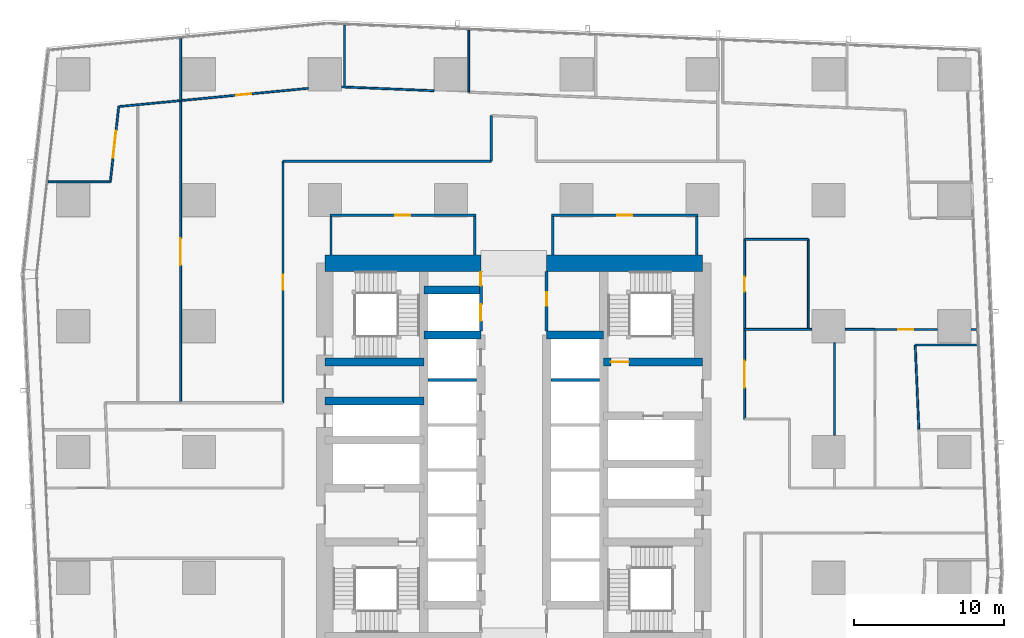
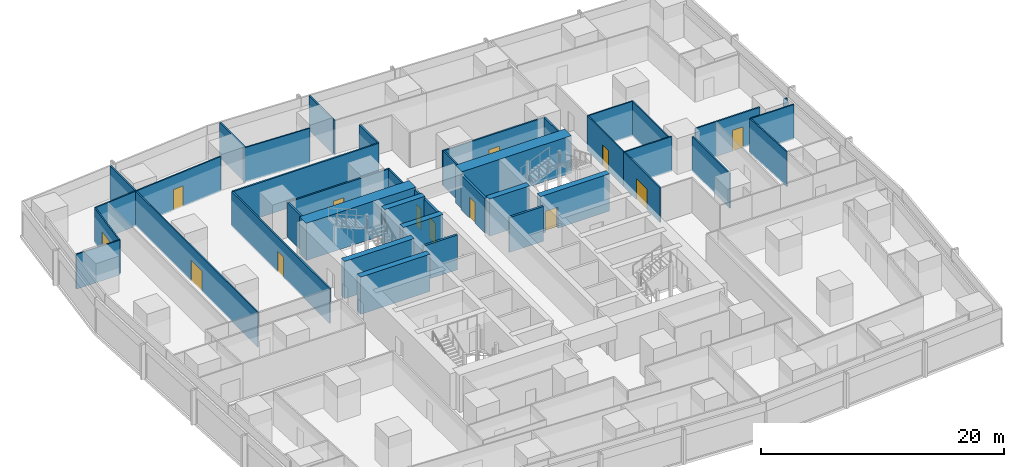
# One storey, part 34 of 45: 41 walls, 13 doors, 13 openings.
"""IFC4 building model written with IfcOpenShell, lengths in metres."""

from ifc_helpers import new_model, si_unit, direction, frame, frame_2d, origin, place, context, subcontext, project, spatial, rectangle, extrude, material, layer, layer_set, type_object, element, fill, save


model = new_model("IFC4")

# Units and contexts
model_context = context("Model", 3, precision=1e-05, world=origin(), true_north=direction((0.0, 1.0)))
body_context = subcontext(model_context, "Body", "Model", "MODEL_VIEW")
ifc_project = project(units=[si_unit("LENGTHUNIT", "METRE"), si_unit("AREAUNIT", "SQUARE_METRE"), si_unit("VOLUMEUNIT", "CUBIC_METRE"), si_unit("PLANEANGLEUNIT", "RADIAN"), si_unit("MASSUNIT", "GRAM", prefix="KILO")], contexts=[model_context])

# Site, building, storey
site_placement = place(None, origin())
site = spatial("IfcSite", under=ifc_project, at=site_placement, CompositionType="ELEMENT")
building_placement = place(site_placement, origin())
building = spatial("IfcBuilding", under=site, at=building_placement, Name="Rekha Terrace Tower", CompositionType="ELEMENT")
storey_placement = place(building_placement, frame((0.0, 0.0, 44.14990234375)))
storey = spatial("IfcBuildingStorey", under=building, at=storey_placement, Name="L10", CompositionType="ELEMENT", Elevation=44.14990234375)

# Walls
ifc_material_1 = material(Name="Concrete M70", Category="concrete")
ifc_layer_1 = layer(ifc_material_1, 0.550048828125)
ifc_layer_set_1 = layer_set([ifc_layer_1], Name="Concrete M70")
wall_type_1 = type_object("IfcWallType", Name="CI1 550 core internal shear wall", PredefinedType="SHEAR", material=ifc_layer_set_1)
for number, where, z_axis, x_axis, name in (
    (1, (31.800048828125, 41.39990234375, 0.0), (0.0, 0.0, 1.0), (1.0, 0.0, 0.0), "Core wall Y414W L10"),
    (2, (31.800048828125, 44.39990234375, 0.0), (0.0, 0.0, 1.0), (1.0, 0.0, 0.0), "Core wall Y444W L10"),
    (3, (40.0, 41.39990234375, 0.0), (0.0, 0.0, 1.0), (1.0, 0.0, 0.0), "Core wall Y414E L10"),
):
    element("IfcWall", number, at=place(storey_placement, frame(where, z_axis=z_axis, x_axis=x_axis)), inside=storey, type_object=wall_type_1, Name=name, PredefinedType="SHEAR", context=body_context, shape_type="SweptSolid", body=[
        extrude(rectangle(XDim=3.800048828125, YDim=0.550048828125, at=frame_2d((1.89990234375, 0.0))), origin(), (0.0, 0.0, 1.0), 3.75),
    ])
for number, where, z_axis, x_axis, name in (
    (4, (25.199951171875, 37.0, 0.0), (0.0, 0.0, 1.0), (1.0, 0.0, 0.0), "Core wall Y370W L10"),
    (5, (25.199951171875, 39.60009765625, 0.0), (0.0, 0.0, 1.0), (1.0, 0.0, 0.0), "Core wall Y396W L10"),
):
    element("IfcWall", number, at=place(storey_placement, frame(where, z_axis=z_axis, x_axis=x_axis)), inside=storey, type_object=wall_type_1, Name=name, PredefinedType="SHEAR", context=body_context, shape_type="SweptSolid", body=[
        extrude(rectangle(XDim=6.60009765625, YDim=0.550048828125, at=frame_2d((3.300048828125, 0.0))), origin(), (0.0, 0.0, 1.0), 3.75),
    ])

# Wall, opening, door
wall_1_placement = place(storey_placement, frame((43.800048828125, 39.60009765625, 0.0), z_axis=(0.0, 0.0, 1.0), x_axis=(1.0, 0.0, 0.0)))
wall_1 = element("IfcWall", 6, at=wall_1_placement, inside=storey, type_object=wall_type_1, Name="Core wall Y396E L10", PredefinedType="SHEAR", context=body_context, shape_type="SweptSolid", body=[
    extrude(rectangle(XDim=6.599853515625, YDim=0.550048828125, at=frame_2d((3.2998046875, 0.0))), origin(), (0.0, 0.0, 1.0), 3.75),
])
opening_1_placement = place(wall_1_placement, frame((0.47509765625, 0.0, 0.0)))
opening_1 = element("IfcOpeningElement", 7, at=opening_1_placement, cuts=wall_1, Name="Opening D1", PredefinedType="OPENING", context=body_context, shape_type="SweptSolid", body=[
    extrude(rectangle(XDim=1.199951171875, YDim=2.10009765625, at=frame_2d((0.60009765625, 1.050048828125))), frame((0.0, 0.284912109375, 0.0), z_axis=(0.0, -1.0, 0.0), x_axis=(1.0, 0.0, 0.0)), (0.0, 0.0, 1.0), 0.570068359375),
])
ifc_material_2 = material(Name="Steel fire door", Category="steel")
door_type_1 = type_object("IfcDoorType", Name="D1 1200x2100 stair fire door", OperationType="SINGLE_SWING_RIGHT", PredefinedType="DOOR", material=ifc_material_2)
door_1_placement = place(opening_1_placement, origin())
door_1 = element("IfcDoor", 8, at=door_1_placement, inside=storey, type_object=door_type_1, Name="Stair ST2 door L10", OperationType="SINGLE_SWING_RIGHT", OverallHeight=2.10009765625, OverallWidth=1.199951171875, PredefinedType="DOOR", context=body_context, shape_type="SweptSolid", body=[
    extrude(rectangle(XDim=1.199951171875, YDim=2.10009765625, at=frame_2d((0.60009765625, 1.050048828125))), frame((0.0, 0.02490234375, 0.0), z_axis=(0.0, -1.0, 0.0), x_axis=(1.0, 0.0, 0.0)), (0.0, 0.0, 1.0), 0.050048828125),
])
fill(opening_1, door_1)

# Walls
ifc_layer_2 = layer(ifc_material_1, 1.10009765625)
ifc_layer_set_2 = layer_set([ifc_layer_2], Name="Concrete M70")
wall_type_2 = type_object("IfcWallType", Name="SW1 1100 core outer shear wall", PredefinedType="SHEAR", material=ifc_layer_set_2)
wall_2_placement = place(storey_placement, frame((25.199951171875, 46.199951171875, 0.0), z_axis=(0.0, 0.0, 1.0), x_axis=(1.0, 0.0, 0.0)))
element("IfcWall", 9, at=wall_2_placement, inside=storey, type_object=wall_type_2, Name="Core wall N1 L10", PredefinedType="SHEAR", context=body_context, shape_type="SweptSolid", body=[
    extrude(rectangle(XDim=10.400146484375, YDim=1.10009765625, at=frame_2d((5.2001953125, 0.0))), origin(), (0.0, 0.0, 1.0), 3.75),
])
wall_3_placement = place(storey_placement, frame((40.0, 46.199951171875, 0.0), z_axis=(0.0, 0.0, 1.0), x_axis=(1.0, 0.0, 0.0)))
element("IfcWall", 10, at=wall_3_placement, inside=storey, type_object=wall_type_2, Name="Core wall N2 L10", PredefinedType="SHEAR", context=body_context, shape_type="SweptSolid", body=[
    extrude(rectangle(XDim=10.39990234375, YDim=1.10009765625, at=frame_2d((5.199951171875, 0.0))), origin(), (0.0, 0.0, 1.0), 3.75),
])

# Wall, opening, door
ifc_material_3 = material(Name="Concrete block masonry, 1 hour", Category="masonry")
ifc_layer_3 = layer(ifc_material_3, 0.14990234375)
ifc_layer_set_3 = layer_set([ifc_layer_3], Name="Concrete block masonry, 1 hour")
wall_type_3 = type_object("IfcWallType", Name="WP2 150 tenancy partition", PredefinedType="PARTITIONING", material=ifc_layer_set_3)
wall_4_placement = place(storey_placement, frame((40.324951171875, 49.39990234375, 0.0), z_axis=(0.0, 0.0, 1.0), x_axis=(1.0, 0.0, 0.0)))
wall_4 = element("IfcWall", 11, at=wall_4_placement, inside=storey, type_object=wall_type_3, Name="Women's WC wall L10", PredefinedType="PARTITIONING", context=body_context, shape_type="SweptSolid", body=[
    extrude(rectangle(XDim=9.75, YDim=0.14990234375, at=frame_2d((4.875, 0.0))), origin(), (0.0, 0.0, 1.0), 3.5),
])
opening_2_placement = place(wall_4_placement, frame((4.375, 0.0, 0.0)))
opening_2 = element("IfcOpeningElement", 12, at=opening_2_placement, cuts=wall_4, Name="Opening D3", PredefinedType="OPENING", context=body_context, shape_type="SweptSolid", body=[
    extrude(rectangle(XDim=1.0, YDim=2.10009765625, at=frame_2d((0.5, 1.050048828125))), frame((0.0, 0.0849609375, 0.0), z_axis=(0.0, -1.0, 0.0), x_axis=(1.0, 0.0, 0.0)), (0.0, 0.0, 1.0), 0.169921875),
])
ifc_material_4 = material(Name="Laminated timber fire door", Category="wood")
door_type_2 = type_object("IfcDoorType", Name="D3 1000x2100 WC door", OperationType="SINGLE_SWING_LEFT", PredefinedType="DOOR", material=ifc_material_4)
door_2_placement = place(opening_2_placement, origin())
door_2 = element("IfcDoor", 13, at=door_2_placement, inside=storey, type_object=door_type_2, Name="Door women's wc L10", OperationType="SINGLE_SWING_LEFT", OverallHeight=2.10009765625, OverallWidth=1.0, PredefinedType="DOOR", context=body_context, shape_type="SweptSolid", body=[
    extrude(rectangle(XDim=1.0, YDim=2.10009765625, at=frame_2d((0.5, 1.050048828125))), frame((0.0, 0.02490234375, 0.0), z_axis=(0.0, -1.0, 0.0), x_axis=(1.0, 0.0, 0.0)), (0.0, 0.0, 1.0), 0.050048828125),
])
fill(opening_2, door_2)

# Walls
for number, where, z_axis, x_axis, name in (
    (14, (40.39990234375, 46.75, 0.0), (0.0, 0.0, 1.0), (0.0, 1.0, 0.0), "Women's WC wall L10"),
    (15, (50.0, 46.75, 0.0), (0.0, 0.0, 1.0), (0.0, 1.0, 0.0), "Women's WC wall L10"),
):
    element("IfcWall", number, at=place(storey_placement, frame(where, z_axis=z_axis, x_axis=x_axis)), inside=storey, type_object=wall_type_3, Name=name, PredefinedType="PARTITIONING", context=body_context, shape_type="SweptSolid", body=[
        extrude(rectangle(XDim=2.574951171875, YDim=0.14990234375, at=frame_2d((1.28759765625, 0.0))), origin(), (0.0, 0.0, 1.0), 3.5),
    ])

# Wall, opening, door
wall_5_placement = place(storey_placement, frame((25.52490234375, 49.39990234375, 0.0), z_axis=(0.0, 0.0, 1.0), x_axis=(1.0, 0.0, 0.0)))
wall_5 = element("IfcWall", 16, at=wall_5_placement, inside=storey, type_object=wall_type_3, Name="Women's WC wall L10", PredefinedType="PARTITIONING", context=body_context, shape_type="SweptSolid", body=[
    extrude(rectangle(XDim=9.75, YDim=0.14990234375, at=frame_2d((4.875, 0.0))), origin(), (0.0, 0.0, 1.0), 3.5),
])
opening_3_placement = place(wall_5_placement, frame((4.375, 0.0, 0.0)))
opening_3 = element("IfcOpeningElement", 17, at=opening_3_placement, cuts=wall_5, Name="Opening D3", PredefinedType="OPENING", context=body_context, shape_type="SweptSolid", body=[
    extrude(rectangle(XDim=1.0, YDim=2.10009765625, at=frame_2d((0.5, 1.050048828125))), frame((0.0, 0.0849609375, 0.0), z_axis=(0.0, -1.0, 0.0), x_axis=(1.0, 0.0, 0.0)), (0.0, 0.0, 1.0), 0.169921875),
])
door_3_placement = place(opening_3_placement, origin())
door_3 = element("IfcDoor", 18, at=door_3_placement, inside=storey, type_object=door_type_2, Name="Door women's wc L10", OperationType="SINGLE_SWING_LEFT", OverallHeight=2.10009765625, OverallWidth=1.0, PredefinedType="DOOR", context=body_context, shape_type="SweptSolid", body=[
    extrude(rectangle(XDim=1.0, YDim=2.10009765625, at=frame_2d((0.5, 1.050048828125))), frame((0.0, 0.02490234375, 0.0), z_axis=(0.0, -1.0, 0.0), x_axis=(1.0, 0.0, 0.0)), (0.0, 0.0, 1.0), 0.050048828125),
])
fill(opening_3, door_3)

# Walls
for number, where, z_axis, x_axis, name in (
    (19, (25.60009765625, 46.75, 0.0), (0.0, 0.0, 1.0), (0.0, 1.0, 0.0), "Women's WC wall L10"),
    (20, (35.199951171875, 46.75, 0.0), (0.0, 0.0, 1.0), (0.0, 1.0, 0.0), "Women's WC wall L10"),
):
    element("IfcWall", number, at=place(storey_placement, frame(where, z_axis=z_axis, x_axis=x_axis)), inside=storey, type_object=wall_type_3, Name=name, PredefinedType="PARTITIONING", context=body_context, shape_type="SweptSolid", body=[
        extrude(rectangle(XDim=2.574951171875, YDim=0.14990234375, at=frame_2d((1.28759765625, 0.0))), origin(), (0.0, 0.0, 1.0), 3.5),
    ])

# Wall, opening, door
wall_6_placement = place(storey_placement, frame((61.89990234375, 41.781005859375, 0.0), z_axis=(0.0, 0.0, 1.0), x_axis=(1.0, 0.0, 0.0)))
wall_6 = element("IfcWall", 21, at=wall_6_placement, inside=storey, type_object=wall_type_3, Name="Partition L10-O2", PredefinedType="PARTITIONING", context=body_context, shape_type="SweptSolid", body=[
    extrude(rectangle(XDim=4.18017578125, YDim=0.14990234375, at=frame_2d((2.090087890625, 0.0))), origin(), (0.0, 0.0, 1.0), 3.5),
])
opening_4_placement = place(wall_6_placement, frame((1.554931640625, 0.0, 0.0)))
opening_4 = element("IfcOpeningElement", 22, at=opening_4_placement, cuts=wall_6, Name="Opening D9", PredefinedType="OPENING", context=body_context, shape_type="SweptSolid", body=[
    extrude(rectangle(XDim=1.0, YDim=2.10009765625, at=frame_2d((0.5, 1.050048828125))), frame((0.0, 0.0849609375, 0.0), z_axis=(0.0, -1.0, 0.0), x_axis=(1.0, 0.0, 0.0)), (0.0, 0.0, 1.0), 0.169921875),
])
ifc_material_5 = material(Name="Timber fire door", Category="wood")
door_type_3 = type_object("IfcDoorType", Name="D9 1000x2100 office door", OperationType="SINGLE_SWING_LEFT", PredefinedType="DOOR", material=ifc_material_5)
door_4_placement = place(opening_4_placement, origin())
door_4 = element("IfcDoor", 23, at=door_4_placement, inside=storey, type_object=door_type_3, Name="Door open-plan office L10", OperationType="SINGLE_SWING_LEFT", OverallHeight=2.10009765625, OverallWidth=1.0, PredefinedType="DOOR", context=body_context, shape_type="SweptSolid", body=[
    extrude(rectangle(XDim=1.0, YDim=2.10009765625, at=frame_2d((0.5, 1.050048828125))), frame((0.0, 0.02490234375, 0.0), z_axis=(0.0, -1.0, 0.0), x_axis=(1.0, 0.0, 0.0)), (0.0, 0.0, 1.0), 0.050048828125),
])
fill(opening_4, door_4)

# Walls
wall_7_placement = place(storey_placement, frame((68.320068359375, 41.781005859375, 0.0), z_axis=(0.0, 0.0, 1.0), x_axis=(1.0, 0.0, 0.0)))
element("IfcWall", 24, at=wall_7_placement, inside=storey, type_object=wall_type_3, Name="Partition L10-O2", PredefinedType="PARTITIONING", context=body_context, shape_type="SweptSolid", body=[
    extrude(rectangle(XDim=0.343017578125, YDim=0.14990234375, at=frame_2d((0.17138671875, 0.0))), origin(), (0.0, 0.0, 1.0), 3.5),
])
wall_8_placement = place(storey_placement, frame((26.510009765625, 62.071044921875, 0.0), z_axis=(0.0, 0.0, 1.0), x_axis=(0.0, -1.0, 0.0)))
element("IfcWall", 25, at=wall_8_placement, inside=storey, type_object=wall_type_3, Name="Partition L10-O4", PredefinedType="PARTITIONING", context=body_context, shape_type="SweptSolid", body=[
    extrude(rectangle(XDim=4.06005859375, YDim=0.14990234375, at=frame_2d((2.030029296875, 0.0))), origin(), (0.0, 0.0, 1.0), 3.5),
])
wall_9_placement = place(storey_placement, frame((36.300048828125, 56.04296875, 0.0), z_axis=(0.0, 0.0, 1.0), x_axis=(0.0, -1.0, 0.0)))
element("IfcWall", 26, at=wall_9_placement, inside=storey, type_object=wall_type_3, Name="Partition L10-O4", PredefinedType="PARTITIONING", context=body_context, shape_type="SweptSolid", body=[
    extrude(rectangle(XDim=3.04296875, YDim=0.14990234375, at=frame_2d((1.521484375, 0.0))), origin(), (0.0, 0.0, 1.0), 3.5),
])
wall_10_placement = place(storey_placement, frame((36.300048828125, 53.0, 0.0), z_axis=(0.0, 0.0, 1.0), x_axis=(-1.0, 0.0, 0.0)))
element("IfcWall", 27, at=wall_10_placement, inside=storey, type_object=wall_type_3, Name="Partition L10-O4", PredefinedType="PARTITIONING", context=body_context, shape_type="SweptSolid", body=[
    extrude(rectangle(XDim=13.900146484375, YDim=0.14990234375, at=frame_2d((6.9501953125, 0.0))), origin(), (0.0, 0.0, 1.0), 3.5),
])

# Wall, opening, door
wall_11_placement = place(storey_placement, frame((22.39990234375, 53.0, 0.0), z_axis=(0.0, 0.0, 1.0), x_axis=(0.0, -1.0, 0.0)))
wall_11 = element("IfcWall", 28, at=wall_11_placement, inside=storey, type_object=wall_type_3, Name="Partition L10-O4", PredefinedType="PARTITIONING", context=body_context, shape_type="SweptSolid", body=[
    extrude(rectangle(XDim=16.1220703125, YDim=0.14990234375, at=frame_2d((8.06103515625, 0.0))), origin(), (0.0, 0.0, 1.0), 3.5),
])
opening_5_placement = place(wall_11_placement, frame((7.56103515625, 0.0, 0.0)))
opening_5 = element("IfcOpeningElement", 29, at=opening_5_placement, cuts=wall_11, Name="Opening D9", PredefinedType="OPENING", context=body_context, shape_type="SweptSolid", body=[
    extrude(rectangle(XDim=1.0, YDim=2.10009765625, at=frame_2d((0.5, 1.050048828125))), frame((0.0, 0.0849609375, 0.0), z_axis=(0.0, -1.0, 0.0), x_axis=(1.0, 0.0, 0.0)), (0.0, 0.0, 1.0), 0.169921875),
])
door_5_placement = place(opening_5_placement, origin())
door_5 = element("IfcDoor", 30, at=door_5_placement, inside=storey, type_object=door_type_3, Name="Door open-plan office L10", OperationType="SINGLE_SWING_LEFT", OverallHeight=2.10009765625, OverallWidth=1.0, PredefinedType="DOOR", context=body_context, shape_type="SweptSolid", body=[
    extrude(rectangle(XDim=1.0, YDim=2.10009765625, at=frame_2d((0.5, 1.050048828125))), frame((0.0, 0.02490234375, 0.0), z_axis=(0.0, -1.0, 0.0), x_axis=(1.0, 0.0, 0.0)), (0.0, 0.0, 1.0), 0.050048828125),
])
fill(opening_5, door_5)

# Walls
ifc_material_6 = material(Name="Two layers of fire-rated gypsum board each side on steel studs, acoustic quilt, 1 hour", Category="steel")
ifc_layer_4 = layer(ifc_material_6, 0.125)
ifc_layer_set_4 = layer_set([ifc_layer_4], Name="Two layers of fire-rated gypsum board each side on steel studs, acoustic quilt, 1 hour")
wall_type_4 = type_object("IfcWallType", Name="WP3 125 office partition", PredefinedType="PARTITIONING", material=ifc_layer_set_4)
wall_12_placement = place(storey_placement, frame((64.825927734375, 35.0791015625, 0.0), z_axis=(0.0, 0.0, 1.0), x_axis=(-0.042737280095, 0.999086345062, 0.0)))
element("IfcWall", 31, at=wall_12_placement, inside=storey, type_object=wall_type_4, Name="Partition L10-06", PredefinedType="PARTITIONING", context=body_context, shape_type="SweptSolid", body=[
    extrude(rectangle(XDim=5.6611328125, YDim=0.125, at=frame_2d((2.83056640625, 0.0))), origin(), (0.0, 0.0, 1.0), 3.5),
])
wall_13_placement = place(storey_placement, frame((64.583984375, 40.735107421875, 0.0), z_axis=(0.0, 0.0, 1.0), x_axis=(1.0, 0.0, 0.0)))
element("IfcWall", 32, at=wall_13_placement, inside=storey, type_object=wall_type_4, Name="Partition L10-06", PredefinedType="PARTITIONING", context=body_context, shape_type="SweptSolid", body=[
    extrude(rectangle(XDim=4.1240234375, YDim=0.125, at=frame_2d((2.06201171875, 0.0))), origin(), (0.0, 0.0, 1.0), 3.5),
])
wall_14_placement = place(storey_placement, frame((53.199951171875, 41.781005859375, 0.0), z_axis=(0.0, 0.0, 1.0), x_axis=(1.0, 0.0, 0.0)))
element("IfcWall", 33, at=wall_14_placement, inside=storey, type_object=wall_type_4, Name="Partition L10-07", PredefinedType="PARTITIONING", context=body_context, shape_type="SweptSolid", body=[
    extrude(rectangle(XDim=4.47998046875, YDim=0.125, at=frame_2d((2.239990234375, 0.0))), origin(), (0.0, 0.0, 1.0), 3.5),
])
wall_15_placement = place(storey_placement, frame((59.199951171875, 40.8798828125, 0.0), z_axis=(0.0, 0.0, 1.0), x_axis=(0.0, -1.0, 0.0)))
element("IfcWall", 34, at=wall_15_placement, inside=storey, type_object=wall_type_4, Name="Partition L10-07", PredefinedType="PARTITIONING", context=body_context, shape_type="SweptSolid", body=[
    extrude(rectangle(XDim=6.159912109375, YDim=0.125, at=frame_2d((3.080078125, 0.0))), origin(), (0.0, 0.0, 1.0), 3.5),
])

# Wall, opening, door
wall_16_placement = place(storey_placement, frame((53.199951171875, 35.800048828125, 0.0), z_axis=(0.0, 0.0, 1.0), x_axis=(0.0, 1.0, 0.0)))
wall_16 = element("IfcWall", 35, at=wall_16_placement, inside=storey, type_object=wall_type_4, Name="Partition L10-07", PredefinedType="PARTITIONING", context=body_context, shape_type="SweptSolid", body=[
    extrude(rectangle(XDim=5.98095703125, YDim=0.125, at=frame_2d((2.990478515625, 0.0))), origin(), (0.0, 0.0, 1.0), 3.5),
])
opening_6_placement = place(wall_16_placement, frame((2.090087890625, 0.0, 0.0)))
opening_6 = element("IfcOpeningElement", 36, at=opening_6_placement, cuts=wall_16, Name="Opening D8", PredefinedType="OPENING", context=body_context, shape_type="SweptSolid", body=[
    extrude(rectangle(XDim=1.800048828125, YDim=2.10009765625, at=frame_2d((0.89990234375, 1.050048828125))), frame((0.0, 0.072509765625, 0.0), z_axis=(0.0, -1.0, 0.0), x_axis=(1.0, 0.0, 0.0)), (0.0, 0.0, 1.0), 0.14501953125),
])
door_type_4 = type_object("IfcDoorType", Name="D8 1800x2100 double leaf door", OperationType="DOUBLE_DOOR_SINGLE_SWING", PredefinedType="DOOR", material=ifc_material_5)
door_6_placement = place(opening_6_placement, origin())
door_6 = element("IfcDoor", 37, at=door_6_placement, inside=storey, type_object=door_type_4, Name="Door reception L10", OperationType="DOUBLE_DOOR_SINGLE_SWING", OverallHeight=2.10009765625, OverallWidth=1.800048828125, PredefinedType="DOOR", context=body_context, shape_type="SweptSolid", body=[
    extrude(rectangle(XDim=1.800048828125, YDim=2.10009765625, at=frame_2d((0.89990234375, 1.050048828125))), frame((0.0, 0.02490234375, 0.0), z_axis=(0.0, -1.0, 0.0), x_axis=(1.0, 0.0, 0.0)), (0.0, 0.0, 1.0), 0.050048828125),
])
fill(opening_6, door_6)

# Walls
wall_17_placement = place(storey_placement, frame((59.919921875, 41.781005859375, 0.0), z_axis=(0.0, 0.0, 1.0), x_axis=(1.0, 0.0, 0.0)))
element("IfcWall", 38, at=wall_17_placement, inside=storey, type_object=wall_type_4, Name="Partition L10-08", PredefinedType="PARTITIONING", context=body_context, shape_type="SweptSolid", body=[
    extrude(rectangle(XDim=1.97998046875, YDim=0.125, at=frame_2d((0.989990234375, 0.0))), origin(), (0.0, 0.0, 1.0), 3.5),
])
wall_18_placement = place(storey_placement, frame((57.449951171875, 47.781982421875, 0.0), z_axis=(0.0, 0.0, 1.0), x_axis=(0.0, -1.0, 0.0)))
element("IfcWall", 39, at=wall_18_placement, inside=storey, type_object=wall_type_4, Name="Partition L10-11", PredefinedType="PARTITIONING", context=body_context, shape_type="SweptSolid", body=[
    extrude(rectangle(XDim=5.93896484375, YDim=0.125, at=frame_2d((2.969482421875, 0.0))), origin(), (0.0, 0.0, 1.0), 3.5),
])

# Wall, opening, door
wall_19_placement = place(storey_placement, frame((53.199951171875, 41.781982421875, 0.0), z_axis=(0.0, 0.0, 1.0), x_axis=(0.0, 1.0, 0.0)))
wall_19 = element("IfcWall", 40, at=wall_19_placement, inside=storey, type_object=wall_type_4, Name="Partition L10-11", PredefinedType="PARTITIONING", context=body_context, shape_type="SweptSolid", body=[
    extrude(rectangle(XDim=6.0, YDim=0.125, at=frame_2d((3.0, 0.0))), origin(), (0.0, 0.0, 1.0), 3.5),
])
opening_7_placement = place(wall_19_placement, frame((2.5, 0.0, 0.0)))
opening_7 = element("IfcOpeningElement", 41, at=opening_7_placement, cuts=wall_19, Name="Opening D9", PredefinedType="OPENING", context=body_context, shape_type="SweptSolid", body=[
    extrude(rectangle(XDim=1.0, YDim=2.10009765625, at=frame_2d((0.5, 1.050048828125))), frame((0.0, 0.072509765625, 0.0), z_axis=(0.0, -1.0, 0.0), x_axis=(1.0, 0.0, 0.0)), (0.0, 0.0, 1.0), 0.14501953125),
])
door_7_placement = place(opening_7_placement, origin())
door_7 = element("IfcDoor", 42, at=door_7_placement, inside=storey, type_object=door_type_3, Name="Door reception L10", OperationType="SINGLE_SWING_LEFT", OverallHeight=2.10009765625, OverallWidth=1.0, PredefinedType="DOOR", context=body_context, shape_type="SweptSolid", body=[
    extrude(rectangle(XDim=1.0, YDim=2.10009765625, at=frame_2d((0.5, 1.050048828125))), frame((0.0, 0.02490234375, 0.0), z_axis=(0.0, -1.0, 0.0), x_axis=(1.0, 0.0, 0.0)), (0.0, 0.0, 1.0), 0.050048828125),
])
fill(opening_7, door_7)

# Walls
wall_20_placement = place(storey_placement, frame((53.199951171875, 47.781982421875, 0.0), z_axis=(0.0, 0.0, 1.0), x_axis=(1.0, 0.0, 0.0)))
element("IfcWall", 43, at=wall_20_placement, inside=storey, type_object=wall_type_4, Name="Partition L10-11", PredefinedType="PARTITIONING", context=body_context, shape_type="SweptSolid", body=[
    extrude(rectangle(XDim=4.25, YDim=0.125, at=frame_2d((2.125, 0.0))), origin(), (0.0, 0.0, 1.0), 3.5),
])
wall_21_placement = place(storey_placement, frame((34.801025390625, 57.60595703125, 0.0), z_axis=(0.0, 0.0, 1.0), x_axis=(0.0, 1.0, 0.0)))
element("IfcWall", 44, at=wall_21_placement, inside=storey, type_object=wall_type_4, Name="Partition L10-12", PredefinedType="PARTITIONING", context=body_context, shape_type="SweptSolid", body=[
    extrude(rectangle(XDim=4.153076171875, YDim=0.125, at=frame_2d((2.07666015625, 0.0))), origin(), (0.0, 0.0, 1.0), 3.5),
])
wall_22_placement = place(storey_placement, frame((15.572998046875, 57.04296875, 0.0), z_axis=(0.0, 0.0, 1.0), x_axis=(0.0, 1.0, 0.0)))
element("IfcWall", 45, at=wall_22_placement, inside=storey, type_object=wall_type_4, Name="Partition L10-13", PredefinedType="PARTITIONING", context=body_context, shape_type="SweptSolid", body=[
    extrude(rectangle(XDim=4.138916015625, YDim=0.125, at=frame_2d((2.0693359375, 0.0))), origin(), (0.0, 0.0, 1.0), 3.5),
])
wall_23_placement = place(storey_placement, frame((32.47998046875, 57.701904296875, 0.0), z_axis=(0.0, 0.0, 1.0), x_axis=(-0.999149942119, 0.041223696633, 0.0)))
element("IfcWall", 46, at=wall_23_placement, inside=storey, type_object=wall_type_4, Name="Partition L10-13", PredefinedType="PARTITIONING", context=body_context, shape_type="SweptSolid", body=[
    extrude(rectangle(XDim=6.1650390625, YDim=0.125, at=frame_2d((3.08251953125, 0.0))), origin(), (0.0, 0.0, 1.0), 3.5),
])

# Wall, opening, door
wall_24_placement = place(storey_placement, frame((24.080078125, 57.861083984375, 0.0), z_axis=(0.0, 0.0, 1.0), x_axis=(-0.995407615834, -0.095727103477, 0.0)))
wall_24 = element("IfcWall", 47, at=wall_24_placement, inside=storey, type_object=wall_type_4, Name="Partition L10-13", PredefinedType="PARTITIONING", context=body_context, shape_type="SweptSolid", body=[
    extrude(rectangle(XDim=8.54638671875, YDim=0.125, at=frame_2d((4.273193359375, 0.0))), origin(), (0.0, 0.0, 1.0), 3.5),
])
opening_8_placement = place(wall_24_placement, frame((3.80810546875, 0.0, 0.0)))
opening_8 = element("IfcOpeningElement", 48, at=opening_8_placement, cuts=wall_24, Name="Opening D9", PredefinedType="OPENING", context=body_context, shape_type="SweptSolid", body=[
    extrude(rectangle(XDim=1.0, YDim=2.10009765625, at=frame_2d((0.5, 1.050048828125))), frame((0.0, 0.072509765625, 0.0), z_axis=(0.0, -1.0, 0.0), x_axis=(1.0, 0.0, 0.0)), (0.0, 0.0, 1.0), 0.14501953125),
])
door_8_placement = place(opening_8_placement, origin())
door_8 = element("IfcDoor", 49, at=door_8_placement, inside=storey, type_object=door_type_3, Name="Door office L10", OperationType="SINGLE_SWING_LEFT", OverallHeight=2.10009765625, OverallWidth=1.0, PredefinedType="DOOR", context=body_context, shape_type="SweptSolid", body=[
    extrude(rectangle(XDim=1.0, YDim=2.10009765625, at=frame_2d((0.5, 1.050048828125))), frame((0.0, 0.02490234375, 0.0), z_axis=(0.0, -1.0, 0.0), x_axis=(1.0, 0.0, 0.0)), (0.0, 0.0, 1.0), 0.050048828125),
])
fill(opening_8, door_8)

# Walls
wall_25_placement = place(storey_placement, frame((10.883056640625, 51.618896484375, 0.0), z_axis=(0.0, 0.0, 1.0), x_axis=(-1.0, 0.0, 0.0)))
element("IfcWall", 50, at=wall_25_placement, inside=storey, type_object=wall_type_4, Name="Partition L10-14", PredefinedType="PARTITIONING", context=body_context, shape_type="SweptSolid", body=[
    extrude(rectangle(XDim=4.14599609375, YDim=0.125, at=frame_2d((2.072998046875, 0.0))), origin(), (0.0, 0.0, 1.0), 3.5),
])
wall_26_placement = place(storey_placement, frame((15.572021484375, 57.04296875, 0.0), z_axis=(0.0, 0.0, 1.0), x_axis=(-0.995399090968, -0.095815706957, 0.0)))
element("IfcWall", 51, at=wall_26_placement, inside=storey, type_object=wall_type_4, Name="Partition L10-14", PredefinedType="PARTITIONING", context=body_context, shape_type="SweptSolid", body=[
    extrude(rectangle(XDim=4.14306640625, YDim=0.125, at=frame_2d((2.071533203125, 0.0))), origin(), (0.0, 0.0, 1.0), 3.5),
])

# Wall, opening, door
wall_27_placement = place(storey_placement, frame((11.447998046875, 56.64599609375, 0.0), z_axis=(0.0, 0.0, 1.0), x_axis=(-0.111676223133, -0.993744645866, 0.0)))
wall_27 = element("IfcWall", 52, at=wall_27_placement, inside=storey, type_object=wall_type_4, Name="Partition L10-14", PredefinedType="PARTITIONING", context=body_context, shape_type="SweptSolid", body=[
    extrude(rectangle(XDim=5.058837890625, YDim=0.125, at=frame_2d((2.529296875, 0.0))), origin(), (0.0, 0.0, 1.0), 3.5),
])
opening_9_placement = place(wall_27_placement, frame((1.62890625, 0.0, 0.0)))
opening_9 = element("IfcOpeningElement", 53, at=opening_9_placement, cuts=wall_27, Name="Opening D8", PredefinedType="OPENING", context=body_context, shape_type="SweptSolid", body=[
    extrude(rectangle(XDim=1.800048828125, YDim=2.10009765625, at=frame_2d((0.89990234375, 1.050048828125))), frame((0.0, 0.072509765625, 0.0), z_axis=(0.0, -1.0, 0.0), x_axis=(1.0, 0.0, 0.0)), (0.0, 0.0, 1.0), 0.14501953125),
])
door_9_placement = place(opening_9_placement, origin())
door_9 = element("IfcDoor", 54, at=door_9_placement, inside=storey, type_object=door_type_4, Name="Door meeting room L10", OperationType="DOUBLE_DOOR_SINGLE_SWING", OverallHeight=2.10009765625, OverallWidth=1.800048828125, PredefinedType="DOOR", context=body_context, shape_type="SweptSolid", body=[
    extrude(rectangle(XDim=1.800048828125, YDim=2.10009765625, at=frame_2d((0.89990234375, 1.050048828125))), frame((0.0, 0.02490234375, 0.0), z_axis=(0.0, -1.0, 0.0), x_axis=(1.0, 0.0, 0.0)), (0.0, 0.0, 1.0), 0.050048828125),
])
fill(opening_9, door_9)

wall_28_placement = place(storey_placement, frame((15.572021484375, 57.04296875, 0.0), z_axis=(0.0, 0.0, 1.0), x_axis=(0.0, -1.0, 0.0)))
wall_28 = element("IfcWall", 55, at=wall_28_placement, inside=storey, type_object=wall_type_4, Name="Partition L10-16", PredefinedType="PARTITIONING", context=body_context, shape_type="SweptSolid", body=[
    extrude(rectangle(XDim=20.1650390625, YDim=0.125, at=frame_2d((10.08251953125, 0.0))), origin(), (0.0, 0.0, 1.0), 3.5),
])
opening_10_placement = place(wall_28_placement, frame((9.18310546875, 0.0, 0.0)))
opening_10 = element("IfcOpeningElement", 56, at=opening_10_placement, cuts=wall_28, Name="Opening D8", PredefinedType="OPENING", context=body_context, shape_type="SweptSolid", body=[
    extrude(rectangle(XDim=1.800048828125, YDim=2.10009765625, at=frame_2d((0.89990234375, 1.050048828125))), frame((0.0, 0.072509765625, 0.0), z_axis=(0.0, -1.0, 0.0), x_axis=(1.0, 0.0, 0.0)), (0.0, 0.0, 1.0), 0.14501953125),
])
door_10_placement = place(opening_10_placement, origin())
door_10 = element("IfcDoor", 57, at=door_10_placement, inside=storey, type_object=door_type_4, Name="Door storage room L10", OperationType="DOUBLE_DOOR_SINGLE_SWING", OverallHeight=2.10009765625, OverallWidth=1.800048828125, PredefinedType="DOOR", context=body_context, shape_type="SweptSolid", body=[
    extrude(rectangle(XDim=1.800048828125, YDim=2.10009765625, at=frame_2d((0.89990234375, 1.050048828125))), frame((0.0, 0.02490234375, 0.0), z_axis=(0.0, -1.0, 0.0), x_axis=(1.0, 0.0, 0.0)), (0.0, 0.0, 1.0), 0.050048828125),
])
fill(opening_10, door_10)

# Walls
ifc_material_7 = material(Name="Solid concrete block masonry, 2 hour", Category="masonry")
ifc_layer_5 = layer(ifc_material_7, 0.199951171875)
ifc_layer_set_5 = layer_set([ifc_layer_5], Name="Solid concrete block masonry, 2 hour")
wall_type_5 = type_object("IfcWallType", Name="WS1 200 stair and shaft enclosure", PredefinedType="PARTITIONING", material=ifc_layer_set_5)
for number, where, z_axis, x_axis, name in (
    (58, (32.074951171875, 38.39990234375, 0.0), (0.0, 0.0, 1.0), (1.0, 0.0, 0.0), "Lift shaft divider L10"),
    (59, (40.27490234375, 38.39990234375, 0.0), (0.0, 0.0, 1.0), (1.0, 0.0, 0.0), "Lift shaft divider L10"),
):
    element("IfcWall", number, at=place(storey_placement, frame(where, z_axis=z_axis, x_axis=x_axis)), inside=storey, type_object=wall_type_5, Name=name, PredefinedType="PARTITIONING", context=body_context, shape_type="SweptSolid", body=[
        extrude(rectangle(XDim=3.25, YDim=0.199951171875, at=frame_2d((1.625, 0.0))), origin(), (0.0, 0.0, 1.0), 3.5),
    ])

# Wall, opening, door
wall_29_placement = place(storey_placement, frame((40.0, 41.675048828125, 0.0), z_axis=(0.0, 0.0, 1.0), x_axis=(0.0, 1.0, 0.0)))
wall_29 = element("IfcWall", 60, at=wall_29_placement, inside=storey, type_object=wall_type_5, Name="Core partition elec L10", PredefinedType="PARTITIONING", context=body_context, shape_type="SweptSolid", body=[
    extrude(rectangle(XDim=3.974853515625, YDim=0.199951171875, at=frame_2d((1.9873046875, 0.0))), origin(), (0.0, 0.0, 1.0), 3.5),
])
opening_11_placement = place(wall_29_placement, frame((1.675048828125, 0.0, 0.0)))
opening_11 = element("IfcOpeningElement", 61, at=opening_11_placement, cuts=wall_29, Name="Opening D5", PredefinedType="OPENING", context=body_context, shape_type="SweptSolid", body=[
    extrude(rectangle(XDim=0.89990234375, YDim=2.10009765625, at=frame_2d((0.449951171875, 1.050048828125))), frame((0.0, 0.10986328125, 0.0), z_axis=(0.0, -1.0, 0.0), x_axis=(1.0, 0.0, 0.0)), (0.0, 0.0, 1.0), 0.219970703125),
])
door_type_5 = type_object("IfcDoorType", Name="D5 900x2100 riser access door", OperationType="SINGLE_SWING_LEFT", PredefinedType="DOOR", material=ifc_material_2)
door_11_placement = place(opening_11_placement, origin())
door_11 = element("IfcDoor", 62, at=door_11_placement, inside=storey, type_object=door_type_5, Name="Door electrical room L10", OperationType="SINGLE_SWING_LEFT", OverallHeight=2.10009765625, OverallWidth=0.89990234375, PredefinedType="DOOR", context=body_context, shape_type="SweptSolid", body=[
    extrude(rectangle(XDim=0.89990234375, YDim=2.10009765625, at=frame_2d((0.449951171875, 1.050048828125))), frame((0.0, 0.02490234375, 0.0), z_axis=(0.0, -1.0, 0.0), x_axis=(1.0, 0.0, 0.0)), (0.0, 0.0, 1.0), 0.050048828125),
])
fill(opening_11, door_11)

# Wall, openings, doors
wall_30_placement = place(storey_placement, frame((35.60009765625, 41.675048828125, 0.0), z_axis=(0.0, 0.0, 1.0), x_axis=(0.0, 1.0, 0.0)))
wall_30 = element("IfcWall", 63, at=wall_30_placement, inside=storey, type_object=wall_type_5, Name="Core partition jansv L10", PredefinedType="PARTITIONING", context=body_context, shape_type="SweptSolid", body=[
    extrude(rectangle(XDim=3.974853515625, YDim=0.199951171875, at=frame_2d((1.9873046875, 0.0))), origin(), (0.0, 0.0, 1.0), 3.5),
])
opening_12_placement = place(wall_30_placement, frame((3.02490234375, 0.0, 0.0)))
opening_12 = element("IfcOpeningElement", 64, at=opening_12_placement, cuts=wall_30, Name="Opening D5", PredefinedType="OPENING", context=body_context, shape_type="SweptSolid", body=[
    extrude(rectangle(XDim=0.89990234375, YDim=2.10009765625, at=frame_2d((0.449951171875, 1.050048828125))), frame((0.0, 0.10986328125, 0.0), z_axis=(0.0, -1.0, 0.0), x_axis=(1.0, 0.0, 0.0)), (0.0, 0.0, 1.0), 0.219970703125),
])
opening_13_placement = place(wall_30_placement, frame((0.675048828125, 0.0, 0.0)))
opening_13 = element("IfcOpeningElement", 65, at=opening_13_placement, cuts=wall_30, Name="Opening LD1", PredefinedType="OPENING", context=body_context, shape_type="SweptSolid", body=[
    extrude(rectangle(XDim=1.10009765625, YDim=2.10009765625, at=frame_2d((0.550048828125, 1.050048828125))), frame((0.0, 0.10986328125, 0.0), z_axis=(0.0, -1.0, 0.0), x_axis=(1.0, 0.0, 0.0)), (0.0, 0.0, 1.0), 0.219970703125),
])
door_12_placement = place(opening_12_placement, origin())
door_12 = element("IfcDoor", 66, at=door_12_placement, inside=storey, type_object=door_type_5, Name="Door janitor room L10", OperationType="SINGLE_SWING_LEFT", OverallHeight=2.10009765625, OverallWidth=0.89990234375, PredefinedType="DOOR", context=body_context, shape_type="SweptSolid", body=[
    extrude(rectangle(XDim=0.89990234375, YDim=2.10009765625, at=frame_2d((0.449951171875, 1.050048828125))), frame((0.0, 0.02490234375, 0.0), z_axis=(0.0, -1.0, 0.0), x_axis=(1.0, 0.0, 0.0)), (0.0, 0.0, 1.0), 0.050048828125),
])
fill(opening_12, door_12)
ifc_material_8 = material(Name="Stainless steel sliding landing door", Category="steel")
door_type_6 = type_object("IfcDoorType", Name="LD1 1100x2100 lift landing door", OperationType="SLIDING_TO_LEFT", PredefinedType="USERDEFINED", material=ifc_material_8)
door_13_placement = place(opening_13_placement, origin())
door_13 = element("IfcDoor", 67, at=door_13_placement, inside=storey, type_object=door_type_6, Name="Lift SV1 landing door L10", ObjectType="LIFT LANDING DOOR", OperationType="SLIDING_TO_LEFT", OverallHeight=2.10009765625, OverallWidth=1.10009765625, PredefinedType="USERDEFINED", context=body_context, shape_type="SweptSolid", body=[
    extrude(rectangle(XDim=1.10009765625, YDim=2.10009765625, at=frame_2d((0.550048828125, 1.050048828125))), frame((0.0, 0.02490234375, 0.0), z_axis=(0.0, -1.0, 0.0), x_axis=(1.0, 0.0, 0.0)), (0.0, 0.0, 1.0), 0.050048828125),
])
fill(opening_13, door_13)

save(model, "model.ifc")
